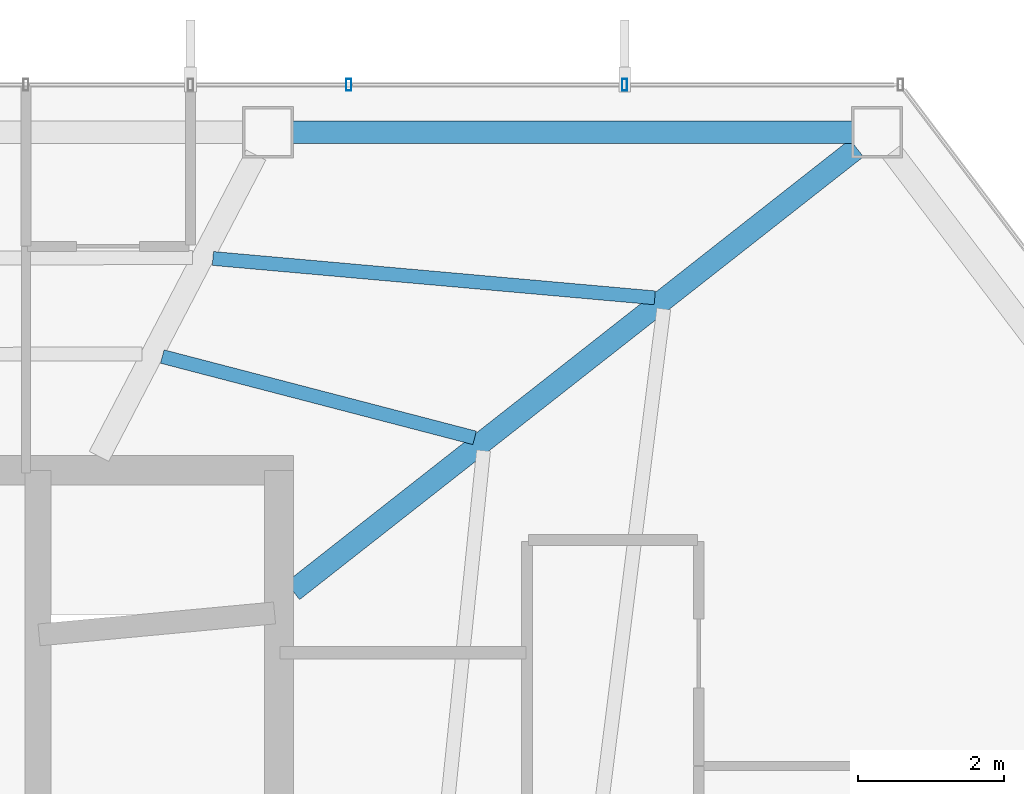
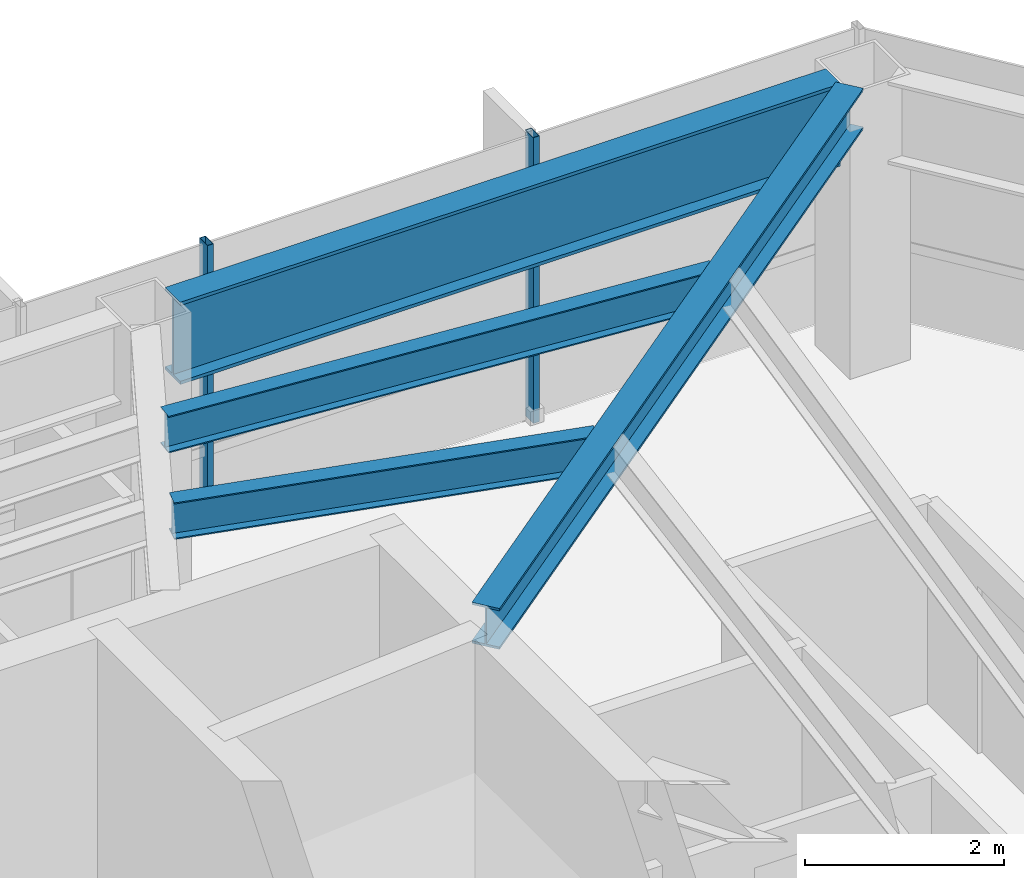
# One storey, part 21 of 27: 4 beams, 2 members, 1 element without a shape of its own.
"""IFC4 building model written with IfcOpenShell, lengths in metres."""

from ifc_helpers import new_model, si_unit, direction, frame, origin, origin_2d, place, context, subcontext, project, spatial, hollow_rectangle, i_section, extrude, material, layer, layer_set, material_profile, profile_set, type_object, element, aggregate, save


model = new_model("IFC4")

# Units and contexts
model_context = context("Model", 3, precision=1e-05, world=origin(), true_north=direction((0.0, 1.0)))
body_context = subcontext(model_context, "Body", "Model", "MODEL_VIEW")
ifc_project = project(units=[si_unit("LENGTHUNIT", "METRE"), si_unit("AREAUNIT", "SQUARE_METRE"), si_unit("VOLUMEUNIT", "CUBIC_METRE"), si_unit("PLANEANGLEUNIT", "RADIAN"), si_unit("MASSUNIT", "GRAM", prefix="KILO")], contexts=[model_context])

# Site, building, storey
site_placement = place(None, origin())
site = spatial("IfcSite", under=ifc_project, at=site_placement, CompositionType="ELEMENT")
building_placement = place(site_placement, origin())
building = spatial("IfcBuilding", under=site, at=building_placement, Name="Zarrinselat Tower", CompositionType="ELEMENT")
storey_placement = place(building_placement, frame((0.0, 0.0, 175.780029296875)))
storey = spatial("IfcBuildingStorey", under=building, at=storey_placement, Name="L43", CompositionType="ELEMENT", Elevation=175.780029296875)

# Beams
ifc_material_1 = material(Name="Steel S355J2", Category="steel")
ifc_material_profile_1 = material_profile(ifc_material_1, i_section(OverallWidth=0.300048828125, OverallDepth=0.5, WebThickness=0.014404296875, FlangeThickness=0.028076171875, at=origin_2d()), Name="HEB 500")
ifc_profile_set_1 = profile_set([ifc_material_profile_1], Name="Steel S355J2")
beam_type_1 = type_object("IfcBeamType", Name="BM-HEB500", PredefinedType="BEAM", material=ifc_profile_set_1)
beam_1_placement = place(storey_placement, frame((48.449951171875, 41.800048828125, 3.25), z_axis=(0.786435862655, 0.617671946854, 0.0), x_axis=(-0.617671946854, 0.786435862655, 0.0)))
element("IfcBeam", 1, at=beam_1_placement, inside=storey, type_object=beam_type_1, Name="L43 Radial Primary Girder RG01", PredefinedType="BEAM", context=body_context, shape_type="SweptSolid", body=[
    extrude(i_section(OverallWidth=0.300048828125, OverallDepth=0.5, WebThickness=0.014404296875, FlangeThickness=0.028076171875, at=origin_2d()), origin(), (0.0, 0.0, 1.0), 9.802490234375),
])
ifc_material_2 = material(Name="Steel S460M", Category="steel")
ifc_material_profile_2 = material_profile(ifc_material_2, i_section(OverallWidth=0.302001953125, OverallDepth=1.008056640625, WebThickness=0.02099609375, FlangeThickness=0.0400390625, at=origin_2d()), Name="HEM 1000")
ifc_profile_set_2 = profile_set([ifc_material_profile_2], Name="Steel S460M")
beam_type_2 = type_object("IfcBeamType", Name="BM-HEM1000", PredefinedType="BEAM", material=ifc_profile_set_2)
beam_2_placement = place(storey_placement, frame((48.447998046875, 48.072265625, 2.995849609375), z_axis=(1.0, 0.0, 0.0), x_axis=(0.0, 1.0, 0.0)))
element("IfcBeam", 2, at=beam_2_placement, inside=storey, type_object=beam_type_2, Name="L43 Perimeter Spandrel Girder SP01", PredefinedType="BEAM", context=body_context, shape_type="SweptSolid", body=[
    extrude(i_section(OverallWidth=0.302001953125, OverallDepth=1.008056640625, WebThickness=0.02099609375, FlangeThickness=0.0400390625, at=origin_2d()), origin(), (0.0, 0.0, 1.0), 7.64990234375),
])
ifc_material_3 = material(Name="Steel S355J2", Category="steel")
ifc_material_profile_3 = material_profile(ifc_material_3, i_section(OverallWidth=0.18994140625, OverallDepth=0.449951171875, WebThickness=0.009521484375, FlangeThickness=0.0146484375, at=origin_2d()), Name="IPE 450")
ifc_profile_set_3 = profile_set([ifc_material_profile_3], Name="Steel S355J2")
beam_type_3 = type_object("IfcBeamType", Name="BM-IPE450", PredefinedType="JOIST", material=ifc_profile_set_3)
beam_3_placement = place(storey_placement, frame((47.356689453125, 46.3466796875, 3.27490234375), z_axis=(0.996057480744, -0.088710174468, 0.0), x_axis=(0.088710174468, 0.996057480744, 0.0)))
element("IfcBeam", 3, at=beam_3_placement, inside=storey, type_object=beam_type_3, Name="L43 Composite Floor Joist 6-1", PredefinedType="JOIST", context=body_context, shape_type="SweptSolid", body=[
    extrude(i_section(OverallWidth=0.18994140625, OverallDepth=0.449951171875, WebThickness=0.009521484375, FlangeThickness=0.0146484375, at=origin_2d()), origin(), (0.0, 0.0, 1.0), 6.065673828125),
])
beam_4_placement = place(storey_placement, frame((46.66552734375, 45.005615234375, 3.27490234375), z_axis=(0.967733510936, -0.2519758953, 0.0), x_axis=(0.2519758953, 0.967733510936, 0.0)))
element("IfcBeam", 4, at=beam_4_placement, inside=storey, type_object=beam_type_3, Name="L43 Composite Floor Joist 6-2", PredefinedType="JOIST", context=body_context, shape_type="SweptSolid", body=[
    extrude(i_section(OverallWidth=0.18994140625, OverallDepth=0.449951171875, WebThickness=0.009521484375, FlangeThickness=0.0146484375, at=origin_2d()), origin(), (0.0, 0.0, 1.0), 4.412353515625),
])

# Curtain wall, members
ifc_material_4 = material(Name="Extruded Aluminium Alloy EN AW-6063 T6", Category="aluminium")
ifc_layer = layer(ifc_material_4, 0.175048828125)
ifc_layer_set = layer_set([ifc_layer], Name="Extruded Aluminium Alloy EN AW-6063 T6")
curtain_wall_type = type_object("IfcCurtainWallType", Name="CWS-HTL", PredefinedType="NOTDEFINED", material=ifc_layer_set)
curtain_wall_placement = place(storey_placement, origin())
curtain_wall = element("IfcCurtainWall", 5, at=curtain_wall_placement, inside=storey, type_object=curtain_wall_type, Name="L43 Unitised Curtain Wall CW-L43-E01", PredefinedType="NOTDEFINED")
ifc_material_5 = material(Name="Extruded Aluminium Alloy EN AW-6063 T6", Category="aluminium")
ifc_material_profile_4 = material_profile(ifc_material_5, hollow_rectangle(XDim=0.070068359375, YDim=0.159912109375, WallThickness=0.00390625, at=origin_2d()), Name="RHS 160x70x4")
ifc_profile_set_4 = profile_set([ifc_material_profile_4], Name="Extruded Aluminium Alloy EN AW-6063 T6")
member_type = type_object("IfcMemberType", Name="MEM-CW-MUL2", PredefinedType="MULLION", material=ifc_profile_set_4)
member_1_placement = place(storey_placement, frame((52.98681640625, 48.72216796875, 0.0), z_axis=(0.0, 0.0, 1.0), x_axis=(-1.0, 0.0, 0.0)))
member_1 = element("IfcMember", 6, at=member_1_placement, type_object=member_type, Name="CW-L43-E01 Mullion 1", PredefinedType="MULLION", context=body_context, shape_type="SweptSolid", body=[
    extrude(hollow_rectangle(XDim=0.070068359375, YDim=0.159912109375, WallThickness=0.00390625, at=origin_2d()), origin(), (0.0, 0.0, 1.0), 3.5),
])
member_2_placement = place(storey_placement, frame((49.214599609375, 48.72216796875, 0.0), z_axis=(0.0, 0.0, 1.0), x_axis=(-1.0, 0.0, 0.0)))
member_2 = element("IfcMember", 7, at=member_2_placement, type_object=member_type, Name="CW-L43-E01 Mullion 2", PredefinedType="MULLION", context=body_context, shape_type="SweptSolid", body=[
    extrude(hollow_rectangle(XDim=0.070068359375, YDim=0.159912109375, WallThickness=0.00390625, at=origin_2d()), origin(), (0.0, 0.0, 1.0), 3.5),
])
aggregate(curtain_wall, [member_1, member_2])

save(model, "model.ifc")
